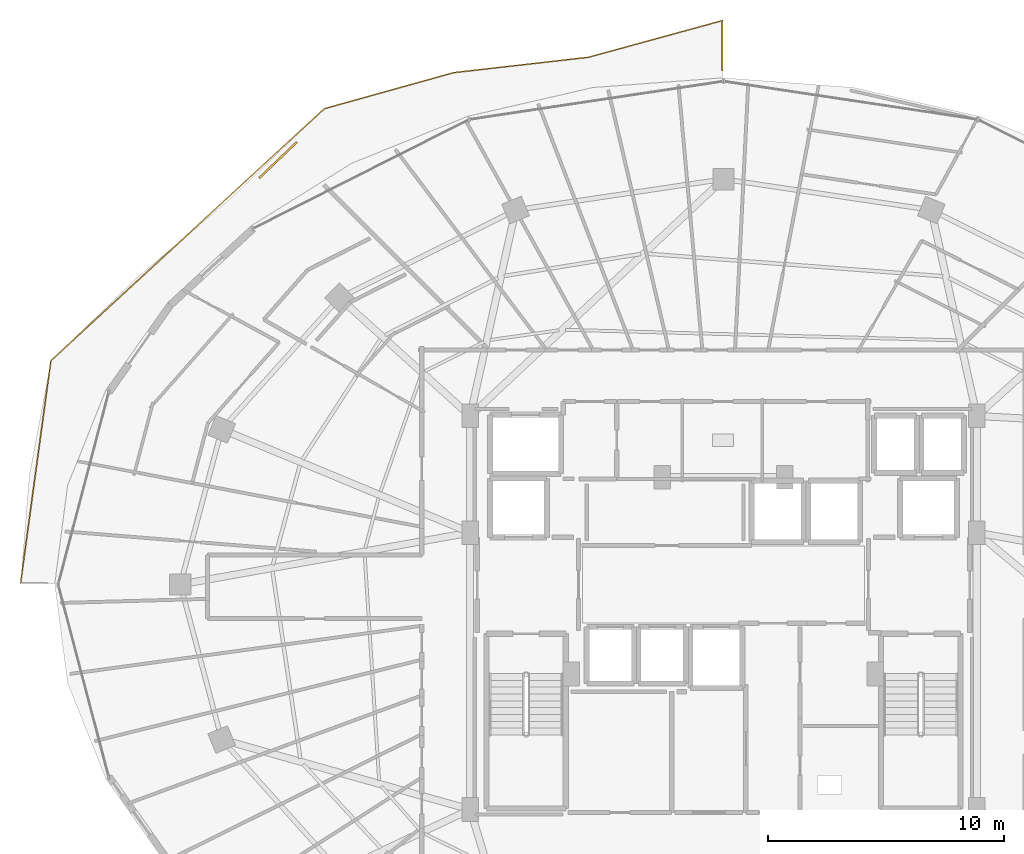
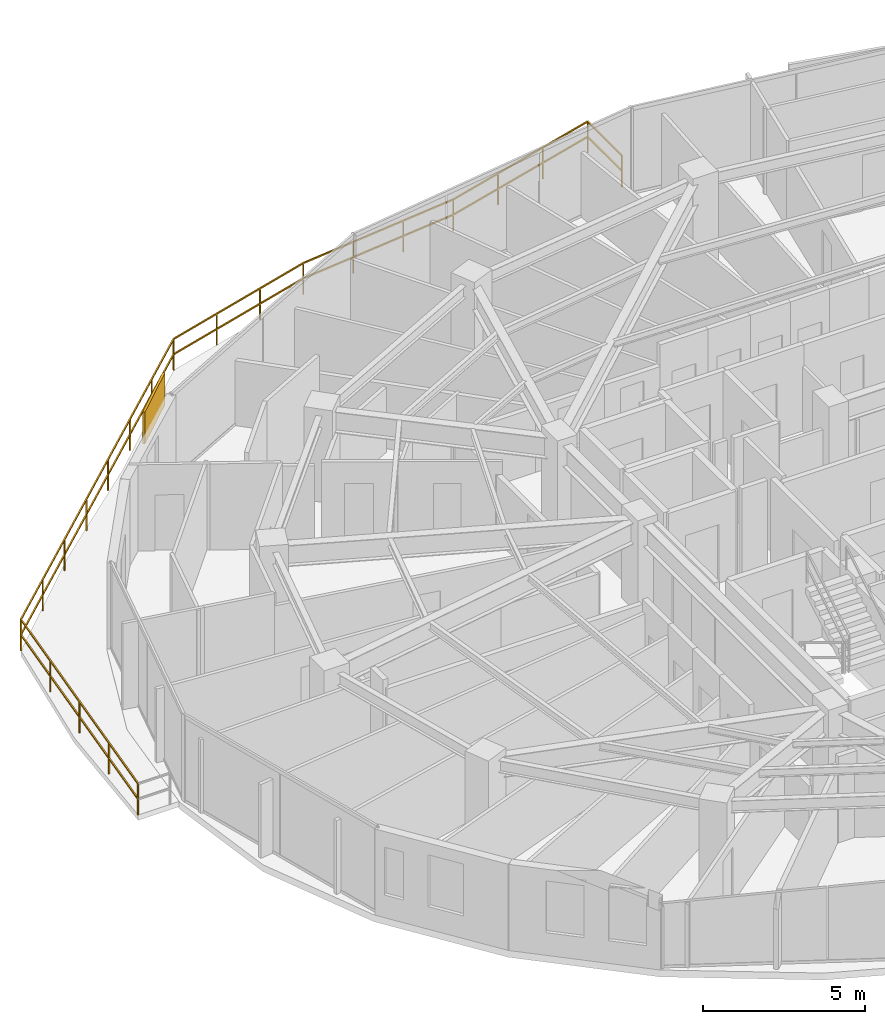
# One storey, part 32 of 33: 1 railing, 1 shading device.
"""IFC4 building model written with IfcOpenShell, lengths in metres."""

from ifc_helpers import new_model, si_unit, direction, frame, origin, origin_2d, place, context, subcontext, project, spatial, rectangle, extrude, material, type_object, element, save


model = new_model("IFC4")

# Units and contexts
model_context = context("Model", 3, precision=1e-05, world=origin(), true_north=direction((0.0, 1.0)))
body_context = subcontext(model_context, "Body", "Model", "MODEL_VIEW")
ifc_project = project(units=[si_unit("LENGTHUNIT", "METRE"), si_unit("AREAUNIT", "SQUARE_METRE"), si_unit("VOLUMEUNIT", "CUBIC_METRE"), si_unit("PLANEANGLEUNIT", "RADIAN"), si_unit("MASSUNIT", "GRAM", prefix="KILO")], contexts=[model_context])

# Site, building, storey
site_placement = place(None, origin())
site = spatial("IfcSite", under=ifc_project, at=site_placement, CompositionType="ELEMENT")
building_placement = place(site_placement, origin())
building = spatial("IfcBuilding", under=site, at=building_placement, Name="Vorneva Point Tower", CompositionType="ELEMENT")
storey_placement = place(building_placement, frame((0.0, 0.0, 196.60009765625)))
storey = spatial("IfcBuildingStorey", under=building, at=storey_placement, Name="L53", CompositionType="ELEMENT", Elevation=196.60009765625)

# Railing
ifc_material = material(Name="Pale anodised aluminium", Category="aluminium")
railing_type = type_object("IfcRailingType", Name="RL-BAL-1200", PredefinedType="BALUSTRADE", material=ifc_material)
railing_placement = place(storey_placement, frame((37.949951171875, 47.817138671875, 0.0)))
element("IfcRailing", 1, at=railing_placement, inside=storey, type_object=railing_type, Name="L53 Wave Balcony Balustrade NW.2", PredefinedType="BALUSTRADE", context=body_context, shape_type="SweptSolid", body=[
    extrude(rectangle(XDim=0.048095703125, YDim=0.048095703125, at=origin_2d()), frame((0.0, 0.0, 1.17578125), z_axis=(0.0, 1.0, 0.0), x_axis=(-1.0, 0.0, 0.0)), (0.0, 0.0, 1.0), 2.1142578125),
    extrude(rectangle(XDim=0.048095703125, YDim=0.048095703125, at=origin_2d()), frame((0.0, 0.0, 0.60009765625), z_axis=(0.0, 1.0, 0.0), x_axis=(-1.0, 0.0, 0.0)), (0.0, 0.0, 1.0), 2.1142578125),
    extrude(rectangle(XDim=0.048095703125, YDim=0.048095703125, at=origin_2d()), frame((0.0, 2.1142578125, 1.17578125), z_axis=(-0.964480133149, -0.264155395099, 0.0), x_axis=(0.264155395099, -0.964480133149, 0.0)), (0.0, 0.0, 1.0), 5.89013671875),
    extrude(rectangle(XDim=0.048095703125, YDim=0.048095703125, at=origin_2d()), frame((0.0, 2.1142578125, 0.60009765625), z_axis=(-0.964480133149, -0.264155395099, 0.0), x_axis=(0.264155395099, -0.964480133149, 0.0)), (0.0, 0.0, 1.0), 5.89013671875),
    extrude(rectangle(XDim=0.048095703125, YDim=0.048095703125, at=origin_2d()), frame((-5.680908203125, 0.558349609375, 1.17578125), z_axis=(-0.993563835957, -0.113273579794, 0.0), x_axis=(0.113273579794, -0.993563835957, 0.0)), (0.0, 0.0, 1.0), 5.75048828125),
    extrude(rectangle(XDim=0.048095703125, YDim=0.048095703125, at=origin_2d()), frame((-5.680908203125, 0.558349609375, 0.60009765625), z_axis=(-0.993563835957, -0.113273579794, 0.0), x_axis=(0.113273579794, -0.993563835957, 0.0)), (0.0, 0.0, 1.0), 5.75048828125),
    extrude(rectangle(XDim=0.048095703125, YDim=0.048095703125, at=origin_2d()), frame((-11.394287109375, -0.093017578125, 1.17578125), z_axis=(-0.963324519058, -0.268339097005, 0.0), x_axis=(0.268339097005, -0.963324519058, 0.0)), (0.0, 0.0, 1.0), 5.70458984375),
    extrude(rectangle(XDim=0.048095703125, YDim=0.048095703125, at=origin_2d()), frame((-11.394287109375, -0.093017578125, 0.60009765625), z_axis=(-0.963324519058, -0.268339097005, 0.0), x_axis=(0.268339097005, -0.963324519058, 0.0)), (0.0, 0.0, 1.0), 5.70458984375),
    extrude(rectangle(XDim=0.048095703125, YDim=0.048095703125, at=origin_2d()), frame((-16.8896484375, -1.623779296875, 1.17578125), z_axis=(-0.735377309745, -0.677657887368, 0.0), x_axis=(0.677657887368, -0.735377309745, 0.0)), (0.0, 0.0, 1.0), 15.78125),
    extrude(rectangle(XDim=0.048095703125, YDim=0.048095703125, at=origin_2d()), frame((-16.8896484375, -1.623779296875, 0.60009765625), z_axis=(-0.735377309745, -0.677657887368, 0.0), x_axis=(0.677657887368, -0.735377309745, 0.0)), (0.0, 0.0, 1.0), 15.78125),
    extrude(rectangle(XDim=0.048095703125, YDim=0.048095703125, at=origin_2d()), frame((-28.494873046875, -12.318115234375, 1.17578125), z_axis=(-0.134869854504, -0.990863321728, 0.0), x_axis=(0.990863321728, -0.134869854504, 0.0)), (0.0, 0.0, 1.0), 9.5361328125),
    extrude(rectangle(XDim=0.048095703125, YDim=0.048095703125, at=origin_2d()), frame((-28.494873046875, -12.318115234375, 0.60009765625), z_axis=(-0.134869854504, -0.990863321728, 0.0), x_axis=(0.990863321728, -0.134869854504, 0.0)), (0.0, 0.0, 1.0), 9.5361328125),
    extrude(rectangle(XDim=0.0419921875, YDim=0.0419921875, at=origin_2d()), origin(), (0.0, 0.0, 1.0), 1.15185546875),
    extrude(rectangle(XDim=0.0419921875, YDim=0.0419921875, at=origin_2d()), frame((0.0, 2.1142578125, 0.0)), (0.0, 0.0, 1.0), 1.15185546875),
    extrude(rectangle(XDim=0.0419921875, YDim=0.0419921875, at=origin_2d()), frame((-1.8935546875, 1.595703125, 0.0)), (0.0, 0.0, 1.0), 1.15185546875),
    extrude(rectangle(XDim=0.0419921875, YDim=0.0419921875, at=origin_2d()), frame((-3.787353515625, 1.076904296875, 0.0)), (0.0, 0.0, 1.0), 1.15185546875),
    extrude(rectangle(XDim=0.0419921875, YDim=0.0419921875, at=origin_2d()), frame((-5.680908203125, 0.558349609375, 0.0)), (0.0, 0.0, 1.0), 1.15185546875),
    extrude(rectangle(XDim=0.0419921875, YDim=0.0419921875, at=origin_2d()), frame((-7.58544921875, 0.34130859375, 0.0)), (0.0, 0.0, 1.0), 1.15185546875),
    extrude(rectangle(XDim=0.0419921875, YDim=0.0419921875, at=origin_2d()), frame((-9.48974609375, 0.1240234375, 0.0)), (0.0, 0.0, 1.0), 1.15185546875),
    extrude(rectangle(XDim=0.0419921875, YDim=0.0419921875, at=origin_2d()), frame((-11.394287109375, -0.093017578125, 0.0)), (0.0, 0.0, 1.0), 1.15185546875),
    extrude(rectangle(XDim=0.0419921875, YDim=0.0419921875, at=origin_2d()), frame((-13.22607421875, -0.603271484375, 0.0)), (0.0, 0.0, 1.0), 1.15185546875),
    extrude(rectangle(XDim=0.0419921875, YDim=0.0419921875, at=origin_2d()), frame((-15.057861328125, -1.113525390625, 0.0)), (0.0, 0.0, 1.0), 1.15185546875),
    extrude(rectangle(XDim=0.0419921875, YDim=0.0419921875, at=origin_2d()), frame((-16.8896484375, -1.623779296875, 0.0)), (0.0, 0.0, 1.0), 1.15185546875),
    extrude(rectangle(XDim=0.0419921875, YDim=0.0419921875, at=origin_2d()), frame((-18.547607421875, -3.151611328125, 0.0)), (0.0, 0.0, 1.0), 1.15185546875),
    extrude(rectangle(XDim=0.0419921875, YDim=0.0419921875, at=origin_2d()), frame((-20.205322265625, -4.67919921875, 0.0)), (0.0, 0.0, 1.0), 1.15185546875),
    extrude(rectangle(XDim=0.0419921875, YDim=0.0419921875, at=origin_2d()), frame((-21.86328125, -6.20703125, 0.0)), (0.0, 0.0, 1.0), 1.15185546875),
    extrude(rectangle(XDim=0.0419921875, YDim=0.0419921875, at=origin_2d()), frame((-23.521240234375, -7.73486328125, 0.0)), (0.0, 0.0, 1.0), 1.15185546875),
    extrude(rectangle(XDim=0.0419921875, YDim=0.0419921875, at=origin_2d()), frame((-25.17919921875, -9.2626953125, 0.0)), (0.0, 0.0, 1.0), 1.15185546875),
    extrude(rectangle(XDim=0.0419921875, YDim=0.0419921875, at=origin_2d()), frame((-26.8369140625, -10.790283203125, 0.0)), (0.0, 0.0, 1.0), 1.15185546875),
    extrude(rectangle(XDim=0.0419921875, YDim=0.0419921875, at=origin_2d()), frame((-28.494873046875, -12.318115234375, 0.0)), (0.0, 0.0, 1.0), 1.15185546875),
    extrude(rectangle(XDim=0.0419921875, YDim=0.0419921875, at=origin_2d()), frame((-28.81640625, -14.680419921875, 0.0)), (0.0, 0.0, 1.0), 1.15185546875),
    extrude(rectangle(XDim=0.0419921875, YDim=0.0419921875, at=origin_2d()), frame((-29.137939453125, -17.04248046875, 0.0)), (0.0, 0.0, 1.0), 1.15185546875),
    extrude(rectangle(XDim=0.0419921875, YDim=0.0419921875, at=origin_2d()), frame((-29.45947265625, -19.40478515625, 0.0)), (0.0, 0.0, 1.0), 1.15185546875),
    extrude(rectangle(XDim=0.0419921875, YDim=0.0419921875, at=origin_2d()), frame((-29.781005859375, -21.76708984375, 0.0)), (0.0, 0.0, 1.0), 1.15185546875),
])

# Shading device
shading_device_type = type_object("IfcShadingDeviceType", Name="SHD-JAL-1200", PredefinedType="JALOUSIE", material=ifc_material)
shading_device_placement = place(storey_placement, frame((19.09521484375, 44.010498046875, -0.02001953125), z_axis=(0.0, 0.0, 1.0), x_axis=(-0.722774186958, -0.691084274649, 0.0)))
element("IfcShadingDevice", 2, at=shading_device_placement, inside=storey, type_object=shading_device_type, Name="L53 Balcony Vertical-Greenery Planter Screen NW.2", PredefinedType="JALOUSIE", context=body_context, shape_type="SweptSolid", body=[
    extrude(rectangle(XDim=2.199951171875, YDim=0.080078125, at=origin_2d()), origin(), (0.0, 0.0, 1.0), 1.199951171875),
])

save(model, "model.ifc")
